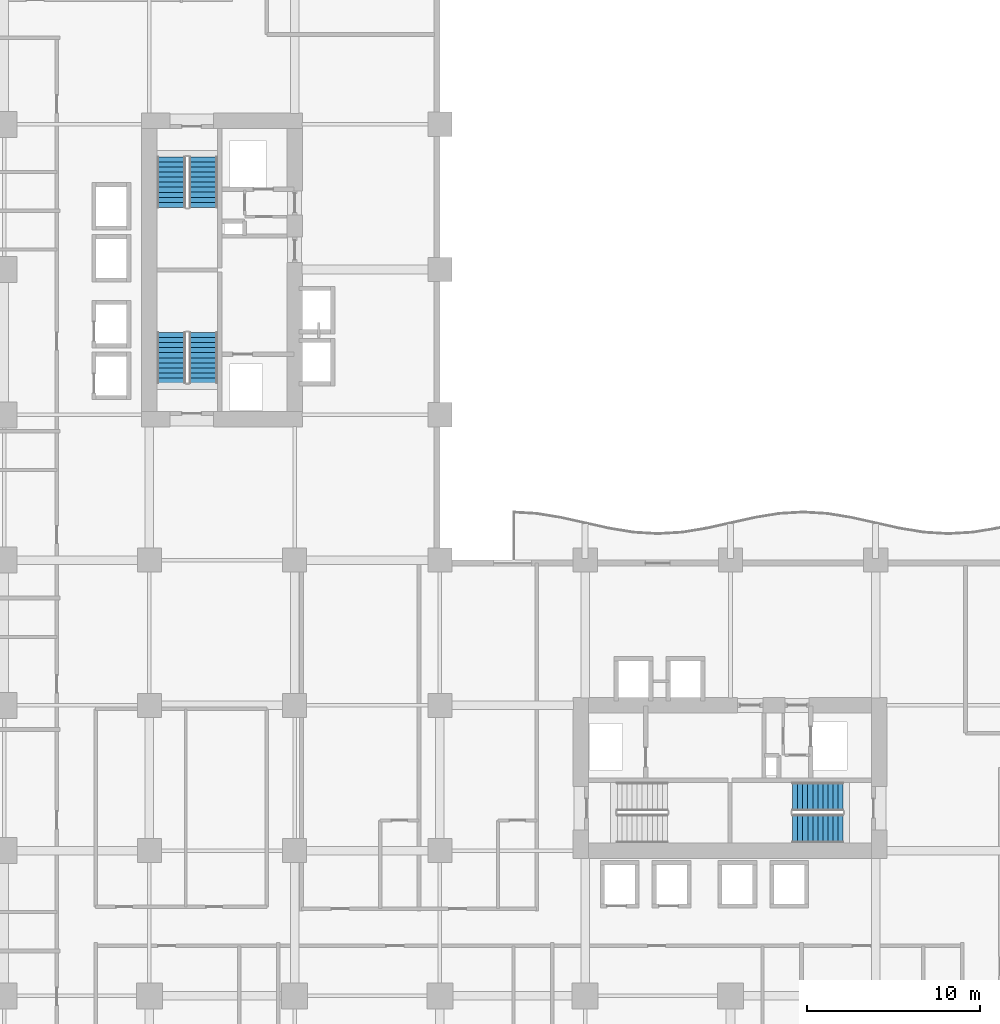
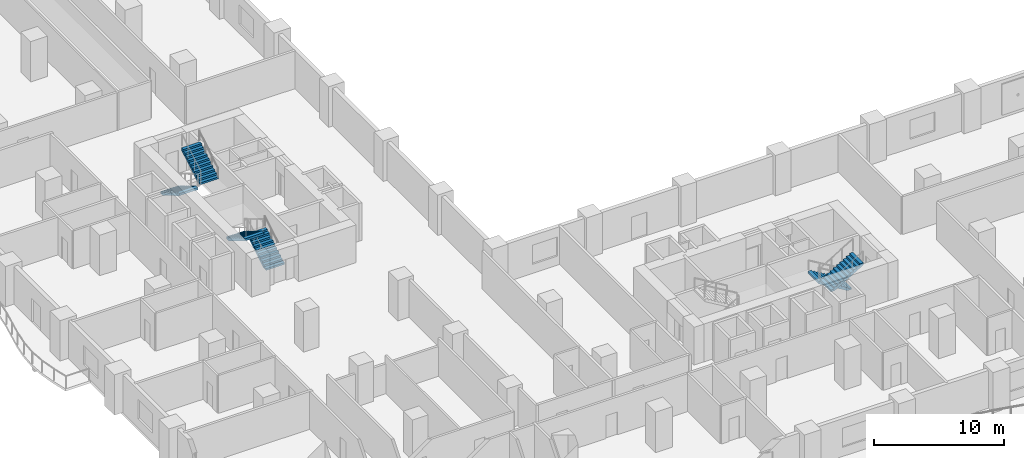
# One storey, part 20 of 27: 6 stair flights, 3 elements without a shape of their own.
"""IFC4 building model written with IfcOpenShell, lengths in metres."""

from ifc_helpers import new_model, si_unit, direction, frame, origin, place, context, subcontext, project, spatial, polyline, outline, extrude, material, type_object, element, aggregate, save


model = new_model("IFC4")

# Units and contexts
model_context = context("Model", 3, precision=1e-05, world=origin(), true_north=direction((0.0, 1.0)))
body_context = subcontext(model_context, "Body", "Model", "MODEL_VIEW")
ifc_project = project(units=[si_unit("LENGTHUNIT", "METRE"), si_unit("AREAUNIT", "SQUARE_METRE"), si_unit("VOLUMEUNIT", "CUBIC_METRE"), si_unit("PLANEANGLEUNIT", "RADIAN"), si_unit("MASSUNIT", "GRAM", prefix="KILO")], contexts=[model_context])

# Site, building, storey
site_placement = place(None, origin())
site = spatial("IfcSite", under=ifc_project, at=site_placement, CompositionType="ELEMENT")
building_placement = place(site_placement, origin())
building = spatial("IfcBuilding", under=site, at=building_placement, Name="Koriwani Terraces Tower", CompositionType="ELEMENT")
storey_placement = place(building_placement, frame((0.0, 0.0, 70.0)))
storey = spatial("IfcBuildingStorey", under=building, at=storey_placement, Name="L16", CompositionType="ELEMENT", Elevation=70.0)

# Stair, stair flights
ifc_material = material(Name="Concrete C40/50", Category="concrete")
stair_type = type_object("IfcStairType", Name="STAIR_CORE_DOGLEG_1650", PredefinedType="TWO_STRAIGHT_RUN_STAIR", material=ifc_material)
stair_1_placement = place(storey_placement, origin())
stair_1 = element("IfcStair", 1, at=stair_1_placement, inside=storey, type_object=stair_type, Name="L16 West Core Exit Stair 1", PredefinedType="HALF_TURN_STAIR")
stair_flight_type = type_object("IfcStairFlightType", Name="STAIR_FLIGHT_RC_1650", PredefinedType="STRAIGHT", material=ifc_material)
stair_flight_1_placement = place(storey_placement, frame((19.925048828125, 43.85009765625, 0.0), z_axis=(0.0, 0.0, 1.0), x_axis=(0.0, 1.0, 0.0)))
stair_flight_1 = element("IfcStairFlight", 2, at=stair_flight_1_placement, type_object=stair_flight_type, Name="ST-W1 flight 1", NumberOfRisers=11, NumberOfTreads=10, PredefinedType="STRAIGHT", RiserHeight=0.172727273, TreadLength=0.29, context=body_context, shape_type="SweptSolid", body=[
    extrude(outline(polyline([(0.0, 0.0), (0.0, 0.172607421875), (0.2900390625, 0.172607421875), (0.2900390625, 0.345458984375), (0.580078125, 0.345458984375), (0.580078125, 0.51806640625), (0.8701171875, 0.51806640625), (0.8701171875, 0.69091796875), (1.159912109375, 0.69091796875), (1.159912109375, 0.863525390625), (1.449951171875, 0.863525390625), (1.449951171875, 1.036376953125), (1.739990234375, 1.036376953125), (1.739990234375, 1.208984375), (2.030029296875, 1.208984375), (2.030029296875, 1.3818359375), (2.320068359375, 1.3818359375), (2.320068359375, 1.554443359375), (2.610107421875, 1.554443359375), (2.610107421875, 1.727294921875), (2.89990234375, 1.727294921875), (2.89990234375, 1.89990234375), (2.89990234375, 1.517822265625), (0.3515625, 0.0), (0.0, 0.0)])), frame((0.0, 0.824951171875, 0.0), z_axis=(0.0, -1.0, 0.0), x_axis=(1.0, 0.0, 0.0)), (0.0, 0.0, 1.0), 1.64990234375),
])
stair_flight_2_placement = place(storey_placement, frame((18.074951171875, 46.75, 1.89990234375), z_axis=(0.0, 0.0, 1.0), x_axis=(0.0, -1.0, 0.0)))
stair_flight_2 = element("IfcStairFlight", 3, at=stair_flight_2_placement, type_object=stair_flight_type, Name="ST-W1 flight 2", NumberOfRisers=11, NumberOfTreads=10, PredefinedType="STRAIGHT", RiserHeight=0.172727273, TreadLength=0.29, context=body_context, shape_type="SweptSolid", body=[
    extrude(outline(polyline([(0.0, 0.0), (0.0, 0.172607421875), (0.2900390625, 0.172607421875), (0.2900390625, 0.345458984375), (0.580078125, 0.345458984375), (0.580078125, 0.51806640625), (0.8701171875, 0.51806640625), (0.8701171875, 0.69091796875), (1.159912109375, 0.69091796875), (1.159912109375, 0.863525390625), (1.449951171875, 0.863525390625), (1.449951171875, 1.036376953125), (1.739990234375, 1.036376953125), (1.739990234375, 1.208984375), (2.030029296875, 1.208984375), (2.030029296875, 1.3818359375), (2.320068359375, 1.3818359375), (2.320068359375, 1.554443359375), (2.610107421875, 1.554443359375), (2.610107421875, 1.727294921875), (2.89990234375, 1.727294921875), (2.89990234375, 1.89990234375), (2.89990234375, 1.517822265625), (0.3515625, 0.0), (0.0, 0.0)])), frame((0.0, 0.824951171875, 0.0), z_axis=(0.0, -1.0, 0.0), x_axis=(1.0, 0.0, 0.0)), (0.0, 0.0, 1.0), 1.64990234375),
])
aggregate(stair_1, [stair_flight_1, stair_flight_2])

stair_2_placement = place(storey_placement, origin())
stair_2 = element("IfcStair", 4, at=stair_2_placement, inside=storey, type_object=stair_type, Name="L16 West Core Exit Stair 2", PredefinedType="HALF_TURN_STAIR")
stair_flight_3_placement = place(storey_placement, frame((18.074951171875, 56.89990234375, 0.0), z_axis=(0.0, 0.0, 1.0), x_axis=(0.0, -1.0, 0.0)))
stair_flight_3 = element("IfcStairFlight", 5, at=stair_flight_3_placement, type_object=stair_flight_type, Name="ST-W2 flight 1", NumberOfRisers=11, NumberOfTreads=10, PredefinedType="STRAIGHT", RiserHeight=0.172727273, TreadLength=0.29, context=body_context, shape_type="SweptSolid", body=[
    extrude(outline(polyline([(0.0, 0.0), (0.0, 0.172607421875), (0.2900390625, 0.172607421875), (0.2900390625, 0.345458984375), (0.580078125, 0.345458984375), (0.580078125, 0.51806640625), (0.8701171875, 0.51806640625), (0.8701171875, 0.69091796875), (1.159912109375, 0.69091796875), (1.159912109375, 0.863525390625), (1.449951171875, 0.863525390625), (1.449951171875, 1.036376953125), (1.739990234375, 1.036376953125), (1.739990234375, 1.208984375), (2.030029296875, 1.208984375), (2.030029296875, 1.3818359375), (2.320068359375, 1.3818359375), (2.320068359375, 1.554443359375), (2.610107421875, 1.554443359375), (2.610107421875, 1.727294921875), (2.89990234375, 1.727294921875), (2.89990234375, 1.89990234375), (2.89990234375, 1.517822265625), (0.3515625, 0.0), (0.0, 0.0)])), frame((0.0, 0.824951171875, 0.0), z_axis=(0.0, -1.0, 0.0), x_axis=(1.0, 0.0, 0.0)), (0.0, 0.0, 1.0), 1.64990234375),
])
stair_flight_4_placement = place(storey_placement, frame((19.925048828125, 54.0, 1.89990234375), z_axis=(0.0, 0.0, 1.0), x_axis=(0.0, 1.0, 0.0)))
stair_flight_4 = element("IfcStairFlight", 6, at=stair_flight_4_placement, type_object=stair_flight_type, Name="ST-W2 flight 2", NumberOfRisers=11, NumberOfTreads=10, PredefinedType="STRAIGHT", RiserHeight=0.172727273, TreadLength=0.29, context=body_context, shape_type="SweptSolid", body=[
    extrude(outline(polyline([(0.0, 0.0), (0.0, 0.172607421875), (0.2900390625, 0.172607421875), (0.2900390625, 0.345458984375), (0.580078125, 0.345458984375), (0.580078125, 0.51806640625), (0.8701171875, 0.51806640625), (0.8701171875, 0.69091796875), (1.159912109375, 0.69091796875), (1.159912109375, 0.863525390625), (1.449951171875, 0.863525390625), (1.449951171875, 1.036376953125), (1.739990234375, 1.036376953125), (1.739990234375, 1.208984375), (2.030029296875, 1.208984375), (2.030029296875, 1.3818359375), (2.320068359375, 1.3818359375), (2.320068359375, 1.554443359375), (2.610107421875, 1.554443359375), (2.610107421875, 1.727294921875), (2.89990234375, 1.727294921875), (2.89990234375, 1.89990234375), (2.89990234375, 1.517822265625), (0.3515625, 0.0), (0.0, 0.0)])), frame((0.0, 0.824951171875, 0.0), z_axis=(0.0, -1.0, 0.0), x_axis=(1.0, 0.0, 0.0)), (0.0, 0.0, 1.0), 1.64990234375),
])
aggregate(stair_2, [stair_flight_3, stair_flight_4])

stair_3_placement = place(storey_placement, origin())
stair_3 = element("IfcStair", 7, at=stair_3_placement, inside=storey, type_object=stair_type, Name="L16 East Core Exit Stair 2", PredefinedType="HALF_TURN_STAIR")
stair_flight_5_placement = place(storey_placement, frame((56.89990234375, 19.925048828125, 0.0), z_axis=(0.0, 0.0, 1.0), x_axis=(-1.0, 0.0, 0.0)))
stair_flight_5 = element("IfcStairFlight", 8, at=stair_flight_5_placement, type_object=stair_flight_type, Name="ST-E2 flight 1", NumberOfRisers=11, NumberOfTreads=10, PredefinedType="STRAIGHT", RiserHeight=0.172727273, TreadLength=0.29, context=body_context, shape_type="SweptSolid", body=[
    extrude(outline(polyline([(0.0, 0.0), (0.0, 0.172607421875), (0.2900390625, 0.172607421875), (0.2900390625, 0.345458984375), (0.580078125, 0.345458984375), (0.580078125, 0.51806640625), (0.8701171875, 0.51806640625), (0.8701171875, 0.69091796875), (1.159912109375, 0.69091796875), (1.159912109375, 0.863525390625), (1.449951171875, 0.863525390625), (1.449951171875, 1.036376953125), (1.739990234375, 1.036376953125), (1.739990234375, 1.208984375), (2.030029296875, 1.208984375), (2.030029296875, 1.3818359375), (2.320068359375, 1.3818359375), (2.320068359375, 1.554443359375), (2.610107421875, 1.554443359375), (2.610107421875, 1.727294921875), (2.89990234375, 1.727294921875), (2.89990234375, 1.89990234375), (2.89990234375, 1.517822265625), (0.3515625, 0.0), (0.0, 0.0)])), frame((0.0, 0.824951171875, 0.0), z_axis=(0.0, -1.0, 0.0), x_axis=(1.0, 0.0, 0.0)), (0.0, 0.0, 1.0), 1.64990234375),
])
stair_flight_6_placement = place(storey_placement, frame((54.0, 18.074951171875, 1.89990234375), z_axis=(0.0, 0.0, 1.0), x_axis=(1.0, 0.0, 0.0)))
stair_flight_6 = element("IfcStairFlight", 9, at=stair_flight_6_placement, type_object=stair_flight_type, Name="ST-E2 flight 2", NumberOfRisers=11, NumberOfTreads=10, PredefinedType="STRAIGHT", RiserHeight=0.172727273, TreadLength=0.29, context=body_context, shape_type="SweptSolid", body=[
    extrude(outline(polyline([(0.0, 0.0), (0.0, 0.172607421875), (0.2900390625, 0.172607421875), (0.2900390625, 0.345458984375), (0.580078125, 0.345458984375), (0.580078125, 0.51806640625), (0.8701171875, 0.51806640625), (0.8701171875, 0.69091796875), (1.159912109375, 0.69091796875), (1.159912109375, 0.863525390625), (1.449951171875, 0.863525390625), (1.449951171875, 1.036376953125), (1.739990234375, 1.036376953125), (1.739990234375, 1.208984375), (2.030029296875, 1.208984375), (2.030029296875, 1.3818359375), (2.320068359375, 1.3818359375), (2.320068359375, 1.554443359375), (2.610107421875, 1.554443359375), (2.610107421875, 1.727294921875), (2.89990234375, 1.727294921875), (2.89990234375, 1.89990234375), (2.89990234375, 1.517822265625), (0.3515625, 0.0), (0.0, 0.0)])), frame((0.0, 0.824951171875, 0.0), z_axis=(0.0, -1.0, 0.0), x_axis=(1.0, 0.0, 0.0)), (0.0, 0.0, 1.0), 1.64990234375),
])
aggregate(stair_3, [stair_flight_5, stair_flight_6])

save(model, "model.ifc")
